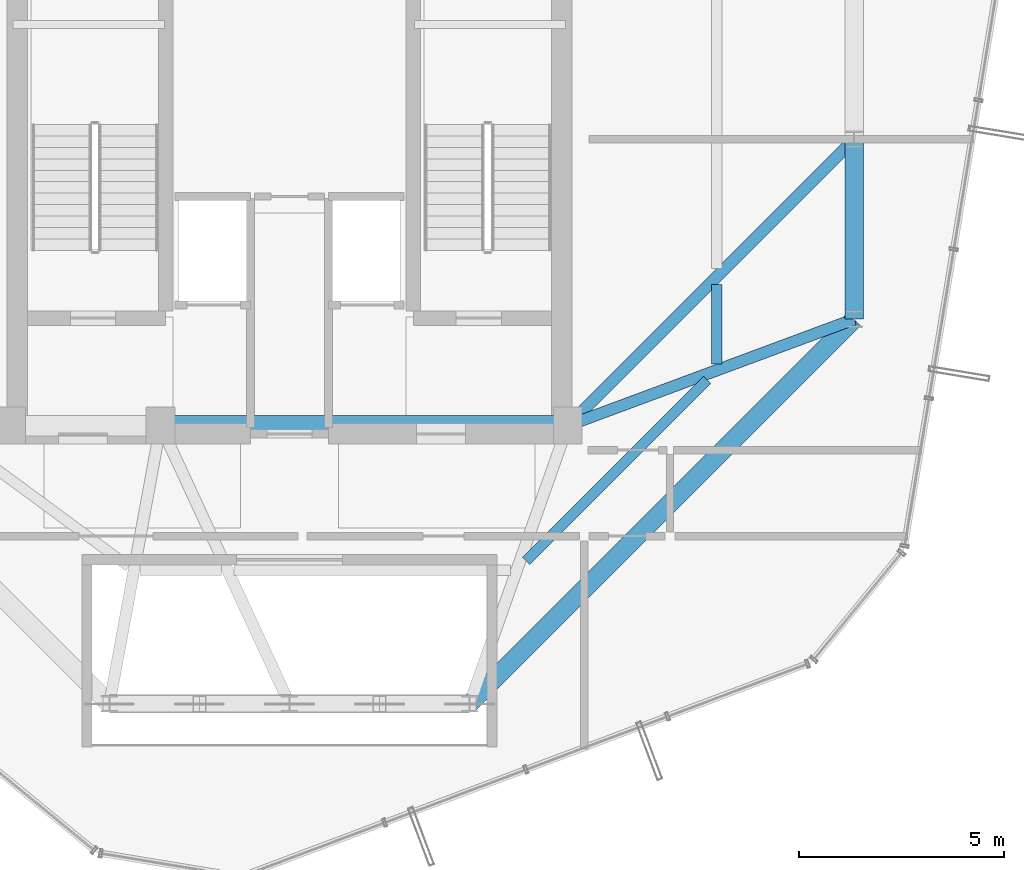
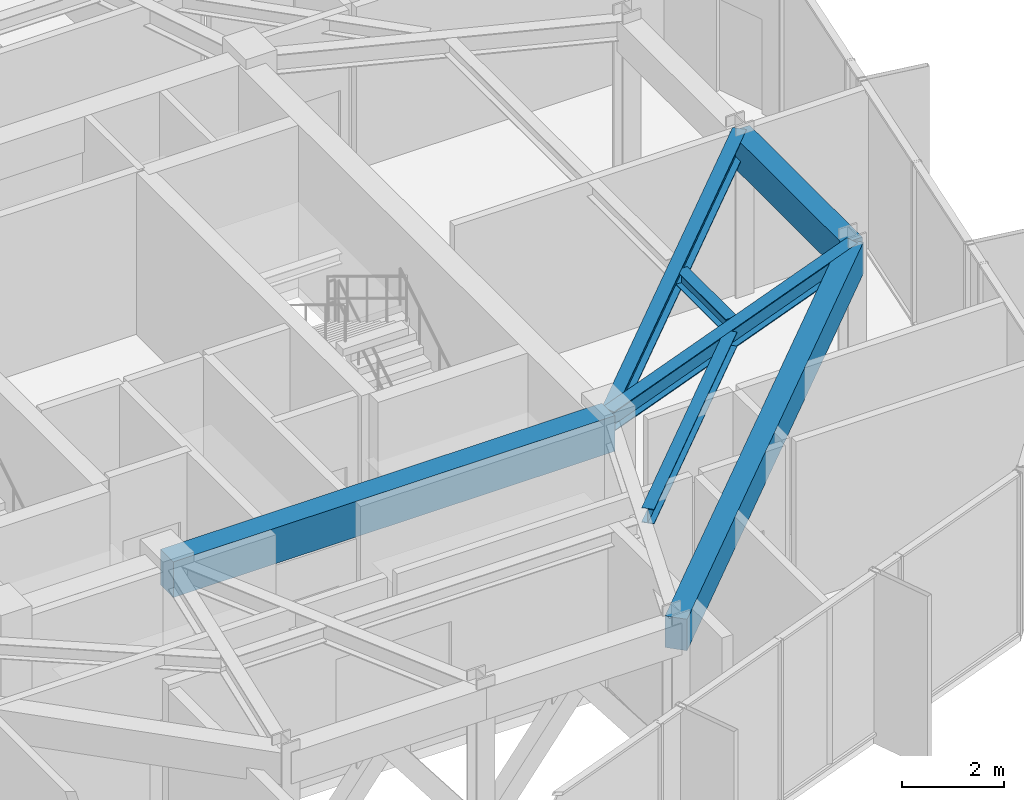
# One storey, part 8 of 22: 7 beams.
"""IFC4 building model written with IfcOpenShell, lengths in metres."""

from ifc_helpers import new_model, si_unit, direction, frame, origin, origin_2d, place, context, subcontext, project, spatial, rectangle, i_section, extrude, material, material_profile, profile_set, type_object, element, save


model = new_model("IFC4")

# Units and contexts
model_context = context("Model", 3, precision=1e-05, world=origin(), true_north=direction((0.0, 1.0)))
body_context = subcontext(model_context, "Body", "Model", "MODEL_VIEW")
ifc_project = project(units=[si_unit("LENGTHUNIT", "METRE"), si_unit("AREAUNIT", "SQUARE_METRE"), si_unit("VOLUMEUNIT", "CUBIC_METRE"), si_unit("PLANEANGLEUNIT", "RADIAN"), si_unit("MASSUNIT", "GRAM", prefix="KILO")], contexts=[model_context])

# Site, building, storey
site_placement = place(None, origin())
site = spatial("IfcSite", under=ifc_project, at=site_placement, CompositionType="ELEMENT")
building_placement = place(site_placement, origin())
building = spatial("IfcBuilding", under=site, at=building_placement, Name="Veraguas Prism Commons", CompositionType="ELEMENT")
storey_placement = place(building_placement, frame((0.0, 0.0, 240.64990234375)))
storey = spatial("IfcBuildingStorey", under=building, at=storey_placement, Name="L68", CompositionType="ELEMENT", Elevation=240.64990234375)

# Beams
ifc_material_1 = material(Name="Concrete C50/60", Category="concrete")
ifc_material_profile_1 = material_profile(ifc_material_1, rectangle(XDim=0.5, YDim=0.85009765625, at=origin_2d()), Name="RC500X850")
ifc_profile_set_1 = profile_set([ifc_material_profile_1], Name="Concrete C50/60")
beam_type_1 = type_object("IfcBeamType", Name="Core Coupling Beam RC 500x850", PredefinedType="BEAM", material=ifc_profile_set_1)
beam_1_placement = place(storey_placement, frame((20.85009765625, 17.0, 3.440185546875), z_axis=(1.0, 0.0, 0.0), x_axis=(0.0, 1.0, 0.0)))
element("IfcBeam", 1, at=beam_1_placement, inside=storey, type_object=beam_type_1, Name="Core Coupling Beam L68-CRS2", PredefinedType="BEAM", context=body_context, shape_type="SweptSolid", body=[
    extrude(rectangle(XDim=0.5, YDim=0.85009765625, at=origin_2d()), origin(), (0.0, 0.0, 1.0), 9.949951171875),
])
ifc_material_profile_2 = material_profile(ifc_material_1, rectangle(XDim=0.449951171875, YDim=0.75, at=origin_2d()), Name="RC450X750")
ifc_profile_set_2 = profile_set([ifc_material_profile_2], Name="Concrete C50/60")
beam_type_2 = type_object("IfcBeamType", Name="Perimeter Spandrel Upper RC 450x750", PredefinedType="SPANDREL", material=ifc_profile_set_2)
beam_2_placement = place(storey_placement, frame((37.800048828125, 19.60009765625, 3.489990234375), z_axis=(0.0, 1.0, 0.0), x_axis=(-1.0, 0.0, 0.0)))
element("IfcBeam", 2, at=beam_2_placement, inside=storey, type_object=beam_type_2, Name="Perimeter Spandrel Beam L68-SP01", PredefinedType="SPANDREL", context=body_context, shape_type="SweptSolid", body=[
    extrude(rectangle(XDim=0.449951171875, YDim=0.75, at=origin_2d()), origin(), (0.0, 0.0, 1.0), 4.39990234375),
])
beam_3_placement = place(storey_placement, frame((28.39990234375, 10.199951171875, 3.489990234375), z_axis=(0.707106781187, 0.707106781187, 0.0), x_axis=(-0.707106781187, 0.707106781187, 0.0)))
element("IfcBeam", 3, at=beam_3_placement, inside=storey, type_object=beam_type_2, Name="Perimeter Spandrel Beam L68-SP12", PredefinedType="SPANDREL", context=body_context, shape_type="SweptSolid", body=[
    extrude(rectangle(XDim=0.449951171875, YDim=0.75, at=origin_2d()), origin(), (0.0, 0.0, 1.0), 13.293701171875),
])
ifc_material_2 = material(Name="Steel ASTM A992 Grade 50", Category="steel")
ifc_material_profile_3 = material_profile(ifc_material_2, i_section(OverallWidth=0.25390625, OverallDepth=0.35302734375, WebThickness=0.009521484375, FlangeThickness=0.016357421875, at=origin_2d()), Name="W360X91")
ifc_profile_set_3 = profile_set([ifc_material_profile_3], Name="Steel ASTM A992 Grade 50")
beam_type_3 = type_object("IfcBeamType", Name="Upper Floor Joist W360x91", PredefinedType="JOIST", material=ifc_profile_set_3)
beam_4_placement = place(storey_placement, frame((34.43994140625, 18.500732421875, 3.6884765625), z_axis=(0.0, 1.0, 0.0), x_axis=(-1.0, 0.0, 0.0)))
element("IfcBeam", 4, at=beam_4_placement, inside=storey, type_object=beam_type_3, Name="Composite Floor Joist L68-JS01", PredefinedType="JOIST", context=body_context, shape_type="SweptSolid", body=[
    extrude(i_section(OverallWidth=0.25390625, OverallDepth=0.35302734375, WebThickness=0.009521484375, FlangeThickness=0.016357421875, at=origin_2d()), origin(), (0.0, 0.0, 1.0), 1.94189453125),
])
beam_5_placement = place(storey_placement, frame((29.780517578125, 13.692626953125, 3.6884765625), z_axis=(0.707126297541, 0.707087264294, 0.0), x_axis=(-0.707087264294, 0.707126297541, 0.0)))
element("IfcBeam", 5, at=beam_5_placement, inside=storey, type_object=beam_type_3, Name="Composite Floor Joist L68-JS12", PredefinedType="JOIST", context=body_context, shape_type="SweptSolid", body=[
    extrude(i_section(OverallWidth=0.25390625, OverallDepth=0.35302734375, WebThickness=0.009521484375, FlangeThickness=0.016357421875, at=origin_2d()), origin(), (0.0, 0.0, 1.0), 6.254638671875),
])
ifc_material_profile_4 = material_profile(ifc_material_2, i_section(OverallWidth=0.282958984375, OverallDepth=0.471923828125, WebThickness=0.013671875, FlangeThickness=0.022216796875, at=origin_2d()), Name="W460X144")
ifc_profile_set_4 = profile_set([ifc_material_profile_4], Name="Steel ASTM A992 Grade 50")
beam_type_4 = type_object("IfcBeamType", Name="Zone 4 Radial Girder W460x144", PredefinedType="BEAM", material=ifc_profile_set_4)
beam_6_placement = place(storey_placement, frame((37.800048828125, 19.60009765625, 3.629150390625), z_axis=(-0.937421003341, -0.348198021958, 0.0), x_axis=(0.348198021958, -0.937421003341, 0.0)))
element("IfcBeam", 6, at=beam_6_placement, inside=storey, type_object=beam_type_4, Name="Radial Floor Girder L68-RD01", PredefinedType="BEAM", context=body_context, shape_type="SweptSolid", body=[
    extrude(i_section(OverallWidth=0.282958984375, OverallDepth=0.471923828125, WebThickness=0.013671875, FlangeThickness=0.022216796875, at=origin_2d()), origin(), (0.0, 0.0, 1.0), 7.46728515625),
])
beam_7_placement = place(storey_placement, frame((37.800048828125, 24.0, 3.629150390625), z_axis=(-0.707106781187, -0.707106781187, 0.0), x_axis=(0.707106781187, -0.707106781187, 0.0)))
element("IfcBeam", 7, at=beam_7_placement, inside=storey, type_object=beam_type_4, Name="Radial Floor Girder L68-RD02", PredefinedType="BEAM", context=body_context, shape_type="SweptSolid", body=[
    extrude(i_section(OverallWidth=0.282958984375, OverallDepth=0.471923828125, WebThickness=0.013671875, FlangeThickness=0.022216796875, at=origin_2d()), origin(), (0.0, 0.0, 1.0), 9.8994140625),
])

save(model, "model.ifc")
